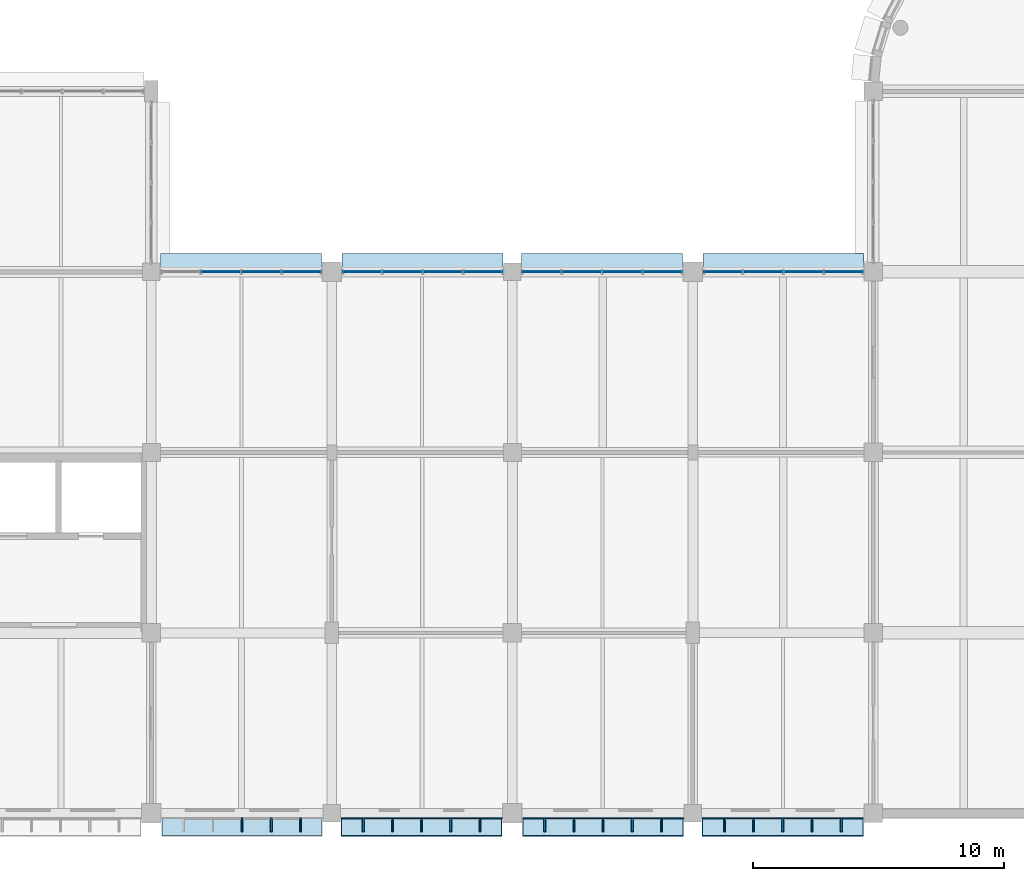
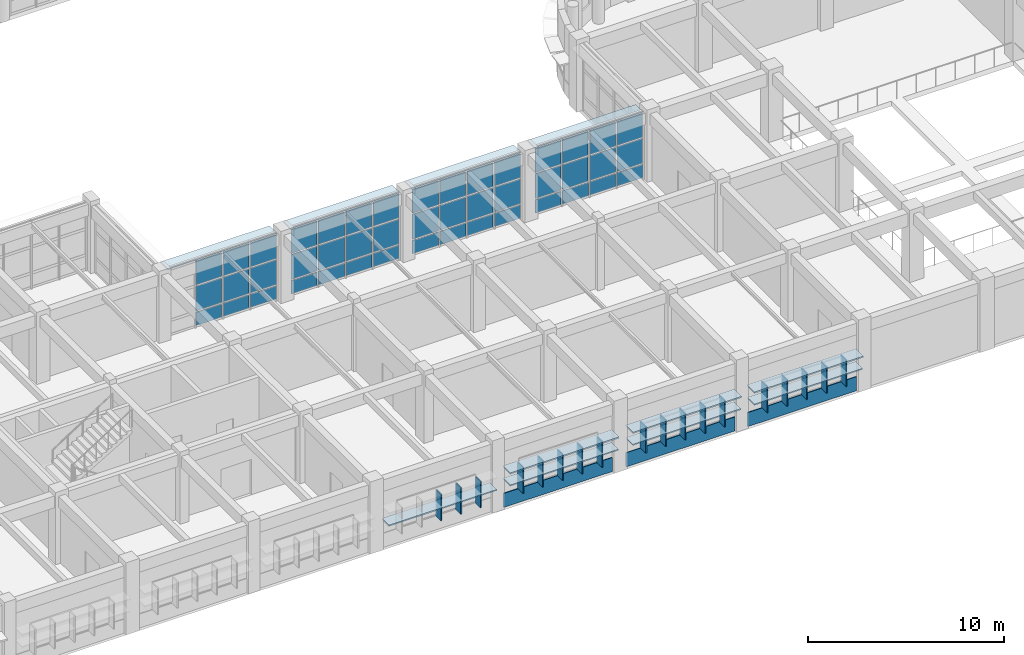
# One storey, part 119 of 171: 77 plates, 4 elements without a shape of their own.
"""IFC4 building model written with IfcOpenShell, lengths in metres."""

from ifc_helpers import new_model, si_unit, direction, frame, origin, origin_2d, place, context, subcontext, project, spatial, rectangle, extrude, material, layer, layer_set, type_object, element, aggregate, save


model = new_model("IFC4")

# Units and contexts
model_context = context("Model", 3, precision=1e-05, world=origin(), true_north=direction((0.0, 1.0)))
body_context = subcontext(model_context, "Body", "Model", "MODEL_VIEW")
ifc_project = project(units=[si_unit("LENGTHUNIT", "METRE"), si_unit("AREAUNIT", "SQUARE_METRE"), si_unit("VOLUMEUNIT", "CUBIC_METRE"), si_unit("PLANEANGLEUNIT", "RADIAN"), si_unit("MASSUNIT", "GRAM", prefix="KILO")], contexts=[model_context])

# Site, building, storey
site_placement = place(None, origin())
site = spatial("IfcSite", under=ifc_project, at=site_placement, CompositionType="ELEMENT")
building_placement = place(site_placement, origin())
building = spatial("IfcBuilding", under=site, at=building_placement, Name="Thalmaran Polytechnic", CompositionType="ELEMENT")
storey_placement = place(building_placement, frame((0.0, 0.0, 5.39990234375)))
storey = spatial("IfcBuildingStorey", under=building, at=storey_placement, Name="L01", CompositionType="ELEMENT", Elevation=5.39990234375)

# Plates
ifc_material_1 = material(Name="Anodised aluminium spandrel band", Category="aluminium")
ifc_layer_1 = layer(ifc_material_1, 0.054931640625, Name="Anodised aluminium spandrel band")
ifc_layer_set_1 = layer_set([ifc_layer_1], Name="Anodised aluminium spandrel band")
plate_type_1 = type_object("IfcPlateType", Name="PT-BD01", PredefinedType="SHEET", material=ifc_layer_set_1)
plate_1_placement = place(storey_placement, frame((53.987548828125, -0.195068359375, 0.020263671875), z_axis=(0.0, 0.0, 1.0), x_axis=(-1.0, 0.0, 0.0)))
element("IfcPlate", 1, at=plate_1_placement, inside=storey, type_object=plate_type_1, Name="Streamline Horizontal Spandrel Band L01-085", PredefinedType="SHEET", context=body_context, shape_type="SweptSolid", body=[
    extrude(rectangle(XDim=6.43505859375, YDim=0.054931640625, at=origin_2d()), origin(), (0.0, 0.0, 1.0), 0.8798828125),
])
for number, where, z_axis, x_axis, name in (
    (2, (46.820068359375, -0.195068359375, 0.020263671875), (0.0, 0.0, 1.0), (-1.0, 0.0, 0.0), "Streamline Horizontal Spandrel Band L01-086"),
    (3, (39.580078125, -0.195068359375, 0.020263671875), (0.0, 0.0, 1.0), (-1.0, 0.0, 0.0), "Streamline Horizontal Spandrel Band L01-087"),
):
    element("IfcPlate", number, at=place(storey_placement, frame(where, z_axis=z_axis, x_axis=x_axis)), inside=storey, type_object=plate_type_1, Name=name, PredefinedType="SHEET", context=body_context, shape_type="SweptSolid", body=[
        extrude(rectangle(XDim=6.419921875, YDim=0.054931640625, at=origin_2d()), origin(), (0.0, 0.0, 1.0), 0.8798828125),
    ])
ifc_material_2 = material(Name="Anodised aluminium sun-hood eyebrow", Category="aluminium")
ifc_layer_2 = layer(ifc_material_2, 0.0849609375, Name="Anodised aluminium sun-hood eyebrow")
ifc_layer_set_2 = layer_set([ifc_layer_2], Name="Anodised aluminium sun-hood eyebrow")
plate_type_2 = type_object("IfcPlateType", Name="PT-EB01", PredefinedType="SHEET", material=ifc_layer_set_2)
plate_2_placement = place(storey_placement, frame((53.987548828125, -0.5400390625, 2.517578125), z_axis=(0.0, 0.0, 1.0), x_axis=(-1.0, 0.0, 0.0)))
element("IfcPlate", 4, at=plate_2_placement, inside=storey, type_object=plate_type_2, Name="Streamline Sun-Hood Eyebrow L01-085", PredefinedType="SHEET", context=body_context, shape_type="SweptSolid", body=[
    extrude(rectangle(XDim=6.43505859375, YDim=0.760009765625, at=origin_2d()), origin(), (0.0, 0.0, 1.0), 0.0849609375),
])
plate_3_placement = place(storey_placement, frame((53.987548828125, -0.52001953125, 1.74267578125), z_axis=(0.0, 0.0, 1.0), x_axis=(-1.0, 0.0, 0.0)))
element("IfcPlate", 5, at=plate_3_placement, inside=storey, type_object=plate_type_2, Name="Abu Dhabi Horizontal Solar Louvre L01-085", PredefinedType="SHEET", context=body_context, shape_type="SweptSolid", body=[
    extrude(rectangle(XDim=6.39501953125, YDim=0.719970703125, at=origin_2d()), origin(), (0.0, 0.0, 1.0), 0.074951171875),
])
plate_4_placement = place(storey_placement, frame((46.820068359375, -0.5400390625, 2.517578125), z_axis=(0.0, 0.0, 1.0), x_axis=(-1.0, 0.0, 0.0)))
element("IfcPlate", 6, at=plate_4_placement, inside=storey, type_object=plate_type_2, Name="Streamline Sun-Hood Eyebrow L01-086", PredefinedType="SHEET", context=body_context, shape_type="SweptSolid", body=[
    extrude(rectangle(XDim=6.419921875, YDim=0.760009765625, at=origin_2d()), origin(), (0.0, 0.0, 1.0), 0.0849609375),
])
plate_5_placement = place(storey_placement, frame((46.820068359375, -0.52001953125, 1.74267578125), z_axis=(0.0, 0.0, 1.0), x_axis=(-1.0, 0.0, 0.0)))
element("IfcPlate", 7, at=plate_5_placement, inside=storey, type_object=plate_type_2, Name="Abu Dhabi Horizontal Solar Louvre L01-086", PredefinedType="SHEET", context=body_context, shape_type="SweptSolid", body=[
    extrude(rectangle(XDim=6.3798828125, YDim=0.719970703125, at=origin_2d()), origin(), (0.0, 0.0, 1.0), 0.074951171875),
])
plate_6_placement = place(storey_placement, frame((39.580078125, -0.5400390625, 2.517578125), z_axis=(0.0, 0.0, 1.0), x_axis=(-1.0, 0.0, 0.0)))
element("IfcPlate", 8, at=plate_6_placement, inside=storey, type_object=plate_type_2, Name="Streamline Sun-Hood Eyebrow L01-087", PredefinedType="SHEET", context=body_context, shape_type="SweptSolid", body=[
    extrude(rectangle(XDim=6.419921875, YDim=0.760009765625, at=origin_2d()), origin(), (0.0, 0.0, 1.0), 0.0849609375),
])
for number, where, z_axis, x_axis, name in (
    (9, (39.580078125, -0.52001953125, 1.74267578125), (0.0, 0.0, 1.0), (-1.0, 0.0, 0.0), "Abu Dhabi Horizontal Solar Louvre L01-087"),
    (10, (32.419921875, -0.52001953125, 1.74267578125), (0.0, 0.0, 1.0), (-1.0, 0.0, 0.0), "Abu Dhabi Horizontal Solar Louvre L01-088"),
):
    element("IfcPlate", number, at=place(storey_placement, frame(where, z_axis=z_axis, x_axis=x_axis)), inside=storey, type_object=plate_type_2, Name=name, PredefinedType="SHEET", context=body_context, shape_type="SweptSolid", body=[
        extrude(rectangle(XDim=6.3798828125, YDim=0.719970703125, at=origin_2d()), origin(), (0.0, 0.0, 1.0), 0.074951171875),
    ])
for number, where, z_axis, x_axis, name in (
    (11, (32.3798828125, 21.9599609375, 4.107666015625), (0.0, 0.0, 1.0), (1.0, 0.0, 0.0), "Streamline Sun-Hood Eyebrow L01-CW163"),
    (12, (39.6201171875, 21.9599609375, 4.107666015625), (0.0, 0.0, 1.0), (1.0, 0.0, 0.0), "Streamline Sun-Hood Eyebrow L01-CW164"),
    (13, (46.780029296875, 21.9599609375, 4.107666015625), (0.0, 0.0, 1.0), (1.0, 0.0, 0.0), "Streamline Sun-Hood Eyebrow L01-CW165"),
):
    element("IfcPlate", number, at=place(storey_placement, frame(where, z_axis=z_axis, x_axis=x_axis)), inside=storey, type_object=plate_type_2, Name=name, PredefinedType="SHEET", context=body_context, shape_type="SweptSolid", body=[
        extrude(rectangle(XDim=6.419921875, YDim=0.760009765625, at=origin_2d()), origin(), (0.0, 0.0, 1.0), 0.0849609375),
    ])
plate_7_placement = place(storey_placement, frame((54.007568359375, 21.9599609375, 4.107666015625), z_axis=(0.0, 0.0, 1.0), x_axis=(1.0, 0.0, 0.0)))
element("IfcPlate", 14, at=plate_7_placement, inside=storey, type_object=plate_type_2, Name="Streamline Sun-Hood Eyebrow L01-CW166", PredefinedType="SHEET", context=body_context, shape_type="SweptSolid", body=[
    extrude(rectangle(XDim=6.39501953125, YDim=0.760009765625, at=origin_2d()), origin(), (0.0, 0.0, 1.0), 0.0849609375),
])
ifc_material_3 = material(Name="Anodised bronze brise-soleil fin")
ifc_layer_3 = layer(ifc_material_3, 0.06494140625, Name="Anodised bronze brise-soleil fin")
ifc_layer_set_3 = layer_set([ifc_layer_3], Name="Anodised bronze brise-soleil fin")
plate_type_3 = type_object("IfcPlateType", Name="PT-FN01", PredefinedType="SHEET", material=ifc_layer_set_3)
for number, where, z_axis, x_axis, name in (
    (15, (56.318603515625, -0.4599609375, 0.895263671875), (0.0, 0.0, 1.0), (-1.0, 0.0, 0.0), "Abu Dhabi Solar Brise-Soleil Fin L01-085-1"),
    (16, (55.153076171875, -0.4599609375, 0.895263671875), (0.0, 0.0, 1.0), (-1.0, 0.0, 0.0), "Abu Dhabi Solar Brise-Soleil Fin L01-085-2"),
    (17, (53.987548828125, -0.4599609375, 0.895263671875), (0.0, 0.0, 1.0), (-1.0, 0.0, 0.0), "Abu Dhabi Solar Brise-Soleil Fin L01-085-3"),
    (18, (52.822021484375, -0.4599609375, 0.895263671875), (0.0, 0.0, 1.0), (-1.0, 0.0, 0.0), "Abu Dhabi Solar Brise-Soleil Fin L01-085-4"),
    (19, (51.656494140625, -0.4599609375, 0.895263671875), (0.0, 0.0, 1.0), (-1.0, 0.0, 0.0), "Abu Dhabi Solar Brise-Soleil Fin L01-085-5"),
    (20, (49.1455078125, -0.4599609375, 0.895263671875), (0.0, 0.0, 1.0), (-1.0, 0.0, 0.0), "Abu Dhabi Solar Brise-Soleil Fin L01-086-1"),
    (21, (47.98291015625, -0.4599609375, 0.895263671875), (0.0, 0.0, 1.0), (-1.0, 0.0, 0.0), "Abu Dhabi Solar Brise-Soleil Fin L01-086-2"),
    (22, (46.820068359375, -0.4599609375, 0.895263671875), (0.0, 0.0, 1.0), (-1.0, 0.0, 0.0), "Abu Dhabi Solar Brise-Soleil Fin L01-086-3"),
    (23, (45.6572265625, -0.4599609375, 0.895263671875), (0.0, 0.0, 1.0), (-1.0, 0.0, 0.0), "Abu Dhabi Solar Brise-Soleil Fin L01-086-4"),
    (24, (44.494384765625, -0.4599609375, 0.895263671875), (0.0, 0.0, 1.0), (-1.0, 0.0, 0.0), "Abu Dhabi Solar Brise-Soleil Fin L01-086-5"),
    (25, (41.905517578125, -0.4599609375, 0.895263671875), (0.0, 0.0, 1.0), (-1.0, 0.0, 0.0), "Abu Dhabi Solar Brise-Soleil Fin L01-087-1"),
    (26, (40.742919921875, -0.4599609375, 0.895263671875), (0.0, 0.0, 1.0), (-1.0, 0.0, 0.0), "Abu Dhabi Solar Brise-Soleil Fin L01-087-2"),
    (27, (39.580078125, -0.4599609375, 0.895263671875), (0.0, 0.0, 1.0), (-1.0, 0.0, 0.0), "Abu Dhabi Solar Brise-Soleil Fin L01-087-3"),
    (28, (38.417236328125, -0.4599609375, 0.895263671875), (0.0, 0.0, 1.0), (-1.0, 0.0, 0.0), "Abu Dhabi Solar Brise-Soleil Fin L01-087-4"),
    (29, (37.25439453125, -0.4599609375, 0.895263671875), (0.0, 0.0, 1.0), (-1.0, 0.0, 0.0), "Abu Dhabi Solar Brise-Soleil Fin L01-087-5"),
    (30, (34.74560546875, -0.4599609375, 0.895263671875), (0.0, 0.0, 1.0), (-1.0, 0.0, 0.0), "Abu Dhabi Solar Brise-Soleil Fin L01-088-1"),
    (31, (33.582763671875, -0.4599609375, 0.895263671875), (0.0, 0.0, 1.0), (-1.0, 0.0, 0.0), "Abu Dhabi Solar Brise-Soleil Fin L01-088-2"),
    (32, (32.419921875, -0.4599609375, 0.895263671875), (0.0, 0.0, 1.0), (-1.0, 0.0, 0.0), "Abu Dhabi Solar Brise-Soleil Fin L01-088-3"),
):
    element("IfcPlate", number, at=place(storey_placement, frame(where, z_axis=z_axis, x_axis=x_axis)), inside=storey, type_object=plate_type_3, Name=name, PredefinedType="SHEET", context=body_context, shape_type="SweptSolid", body=[
        extrude(rectangle(XDim=0.06494140625, YDim=0.56005859375, at=origin_2d()), origin(), (0.0, 0.0, 1.0), 1.64990234375),
    ])

# Curtain wall, plates
ifc_material_4 = material(Name="Aluminium 6063-T6", Category="aluminium")
curtain_wall_type = type_object("IfcCurtainWallType", Name="CW-UC02", PredefinedType="USERDEFINED", material=ifc_material_4)
curtain_wall_1_placement = place(storey_placement, origin())
curtain_wall_1 = element("IfcCurtainWall", 33, at=curtain_wall_1_placement, inside=storey, type_object=curtain_wall_type, Name="Curtain Wall CW-L01-165", ObjectType="UNITISED CURTAIN WALL", PredefinedType="USERDEFINED")
ifc_material_5 = material(Name="Solar-control double low-E glass", Category="glass")
ifc_layer_4 = layer(ifc_material_5, 0.035888671875, Name="Solar-control double low-E glass")
ifc_layer_set_4 = layer_set([ifc_layer_4], Name="Solar-control double low-E glass")
plate_type_4 = type_object("IfcPlateType", Name="PT-GL01", PredefinedType="CURTAIN_PANEL", material=ifc_layer_set_4)
plate_8_placement = place(storey_placement, frame((44.357421875, 21.60009765625, 1.000244140625), z_axis=(0.0, 0.0, 1.0), x_axis=(1.0, 0.0, 0.0)))
plate_8 = element("IfcPlate", 34, at=plate_8_placement, type_object=plate_type_4, Name="CW-L01-165 Vision Panel 1-2", PredefinedType="CURTAIN_PANEL", context=body_context, shape_type="SweptSolid", body=[
    extrude(rectangle(XDim=1.514892578125, YDim=0.035888671875, at=origin_2d()), origin(), (0.0, 0.0, 1.0), 1.544921875),
])
plate_9_placement = place(storey_placement, frame((44.357421875, 21.60009765625, 2.625), z_axis=(0.0, 0.0, 1.0), x_axis=(1.0, 0.0, 0.0)))
plate_9 = element("IfcPlate", 35, at=plate_9_placement, type_object=plate_type_4, Name="CW-L01-165 Vision Panel 1-3", PredefinedType="CURTAIN_PANEL", context=body_context, shape_type="SweptSolid", body=[
    extrude(rectangle(XDim=1.514892578125, YDim=0.035888671875, at=origin_2d()), origin(), (0.0, 0.0, 1.0), 1.485107421875),
])
plate_10_placement = place(storey_placement, frame((45.972412109375, 21.60009765625, 1.000244140625), z_axis=(0.0, 0.0, 1.0), x_axis=(1.0, 0.0, 0.0)))
plate_10 = element("IfcPlate", 36, at=plate_10_placement, type_object=plate_type_4, Name="CW-L01-165 Vision Panel 2-2", PredefinedType="CURTAIN_PANEL", context=body_context, shape_type="SweptSolid", body=[
    extrude(rectangle(XDim=1.514892578125, YDim=0.035888671875, at=origin_2d()), origin(), (0.0, 0.0, 1.0), 1.544921875),
])
plate_11_placement = place(storey_placement, frame((45.972412109375, 21.60009765625, 2.625), z_axis=(0.0, 0.0, 1.0), x_axis=(1.0, 0.0, 0.0)))
plate_11 = element("IfcPlate", 37, at=plate_11_placement, type_object=plate_type_4, Name="CW-L01-165 Vision Panel 2-3", PredefinedType="CURTAIN_PANEL", context=body_context, shape_type="SweptSolid", body=[
    extrude(rectangle(XDim=1.514892578125, YDim=0.035888671875, at=origin_2d()), origin(), (0.0, 0.0, 1.0), 1.485107421875),
])
plate_12_placement = place(storey_placement, frame((47.58740234375, 21.60009765625, 1.000244140625), z_axis=(0.0, 0.0, 1.0), x_axis=(1.0, 0.0, 0.0)))
plate_12 = element("IfcPlate", 38, at=plate_12_placement, type_object=plate_type_4, Name="CW-L01-165 Vision Panel 3-2", PredefinedType="CURTAIN_PANEL", context=body_context, shape_type="SweptSolid", body=[
    extrude(rectangle(XDim=1.514892578125, YDim=0.035888671875, at=origin_2d()), origin(), (0.0, 0.0, 1.0), 1.544921875),
])
plate_13_placement = place(storey_placement, frame((47.58740234375, 21.60009765625, 2.625), z_axis=(0.0, 0.0, 1.0), x_axis=(1.0, 0.0, 0.0)))
plate_13 = element("IfcPlate", 39, at=plate_13_placement, type_object=plate_type_4, Name="CW-L01-165 Vision Panel 3-3", PredefinedType="CURTAIN_PANEL", context=body_context, shape_type="SweptSolid", body=[
    extrude(rectangle(XDim=1.514892578125, YDim=0.035888671875, at=origin_2d()), origin(), (0.0, 0.0, 1.0), 1.485107421875),
])
plate_14_placement = place(storey_placement, frame((49.202392578125, 21.60009765625, 1.000244140625), z_axis=(0.0, 0.0, 1.0), x_axis=(1.0, 0.0, 0.0)))
plate_14 = element("IfcPlate", 40, at=plate_14_placement, type_object=plate_type_4, Name="CW-L01-165 Vision Panel 4-2", PredefinedType="CURTAIN_PANEL", context=body_context, shape_type="SweptSolid", body=[
    extrude(rectangle(XDim=1.514892578125, YDim=0.035888671875, at=origin_2d()), origin(), (0.0, 0.0, 1.0), 1.544921875),
])
plate_15_placement = place(storey_placement, frame((49.202392578125, 21.60009765625, 2.625), z_axis=(0.0, 0.0, 1.0), x_axis=(1.0, 0.0, 0.0)))
plate_15 = element("IfcPlate", 41, at=plate_15_placement, type_object=plate_type_4, Name="CW-L01-165 Vision Panel 4-3", PredefinedType="CURTAIN_PANEL", context=body_context, shape_type="SweptSolid", body=[
    extrude(rectangle(XDim=1.514892578125, YDim=0.035888671875, at=origin_2d()), origin(), (0.0, 0.0, 1.0), 1.485107421875),
])

curtain_wall_2_placement = place(storey_placement, origin())
curtain_wall_2 = element("IfcCurtainWall", 42, at=curtain_wall_2_placement, inside=storey, type_object=curtain_wall_type, Name="Curtain Wall CW-L01-166", ObjectType="UNITISED CURTAIN WALL", PredefinedType="USERDEFINED")
ifc_layer_5 = layer(ifc_material_5, 0.035888671875, Name="Solar-control double low-E glass")
ifc_layer_set_5 = layer_set([ifc_layer_5], Name="Solar-control double low-E glass")
plate_type_5 = type_object("IfcPlateType", Name="PT-GL02", PredefinedType="CURTAIN_PANEL", material=ifc_layer_set_5)
plate_16_placement = place(storey_placement, frame((51.594482421875, 21.60009765625, 1.000244140625), z_axis=(0.0, 0.0, 1.0), x_axis=(1.0, 0.0, 0.0)))
plate_16 = element("IfcPlate", 43, at=plate_16_placement, type_object=plate_type_5, Name="CW-L01-166 Vision Panel 1-2", PredefinedType="CURTAIN_PANEL", context=body_context, shape_type="SweptSolid", body=[
    extrude(rectangle(XDim=1.5087890625, YDim=0.035888671875, at=origin_2d()), origin(), (0.0, 0.0, 1.0), 1.544921875),
])
plate_17_placement = place(storey_placement, frame((51.594482421875, 21.60009765625, 2.625), z_axis=(0.0, 0.0, 1.0), x_axis=(1.0, 0.0, 0.0)))
plate_17 = element("IfcPlate", 44, at=plate_17_placement, type_object=plate_type_5, Name="CW-L01-166 Vision Panel 1-3", PredefinedType="CURTAIN_PANEL", context=body_context, shape_type="SweptSolid", body=[
    extrude(rectangle(XDim=1.5087890625, YDim=0.035888671875, at=origin_2d()), origin(), (0.0, 0.0, 1.0), 1.485107421875),
])
plate_18_placement = place(storey_placement, frame((53.203125, 21.60009765625, 1.000244140625), z_axis=(0.0, 0.0, 1.0), x_axis=(1.0, 0.0, 0.0)))
plate_18 = element("IfcPlate", 45, at=plate_18_placement, type_object=plate_type_5, Name="CW-L01-166 Vision Panel 2-2", PredefinedType="CURTAIN_PANEL", context=body_context, shape_type="SweptSolid", body=[
    extrude(rectangle(XDim=1.5087890625, YDim=0.035888671875, at=origin_2d()), origin(), (0.0, 0.0, 1.0), 1.544921875),
])
plate_19_placement = place(storey_placement, frame((53.203125, 21.60009765625, 2.625), z_axis=(0.0, 0.0, 1.0), x_axis=(1.0, 0.0, 0.0)))
plate_19 = element("IfcPlate", 46, at=plate_19_placement, type_object=plate_type_5, Name="CW-L01-166 Vision Panel 2-3", PredefinedType="CURTAIN_PANEL", context=body_context, shape_type="SweptSolid", body=[
    extrude(rectangle(XDim=1.5087890625, YDim=0.035888671875, at=origin_2d()), origin(), (0.0, 0.0, 1.0), 1.485107421875),
])
plate_20_placement = place(storey_placement, frame((54.811767578125, 21.60009765625, 1.000244140625), z_axis=(0.0, 0.0, 1.0), x_axis=(1.0, 0.0, 0.0)))
plate_20 = element("IfcPlate", 47, at=plate_20_placement, type_object=plate_type_5, Name="CW-L01-166 Vision Panel 3-2", PredefinedType="CURTAIN_PANEL", context=body_context, shape_type="SweptSolid", body=[
    extrude(rectangle(XDim=1.5087890625, YDim=0.035888671875, at=origin_2d()), origin(), (0.0, 0.0, 1.0), 1.544921875),
])
plate_21_placement = place(storey_placement, frame((54.811767578125, 21.60009765625, 2.625), z_axis=(0.0, 0.0, 1.0), x_axis=(1.0, 0.0, 0.0)))
plate_21 = element("IfcPlate", 48, at=plate_21_placement, type_object=plate_type_5, Name="CW-L01-166 Vision Panel 3-3", PredefinedType="CURTAIN_PANEL", context=body_context, shape_type="SweptSolid", body=[
    extrude(rectangle(XDim=1.5087890625, YDim=0.035888671875, at=origin_2d()), origin(), (0.0, 0.0, 1.0), 1.485107421875),
])
plate_22_placement = place(storey_placement, frame((56.420654296875, 21.60009765625, 1.000244140625), z_axis=(0.0, 0.0, 1.0), x_axis=(1.0, 0.0, 0.0)))
plate_22 = element("IfcPlate", 49, at=plate_22_placement, type_object=plate_type_5, Name="CW-L01-166 Vision Panel 4-2", PredefinedType="CURTAIN_PANEL", context=body_context, shape_type="SweptSolid", body=[
    extrude(rectangle(XDim=1.5087890625, YDim=0.035888671875, at=origin_2d()), origin(), (0.0, 0.0, 1.0), 1.544921875),
])
plate_23_placement = place(storey_placement, frame((56.420654296875, 21.60009765625, 2.625), z_axis=(0.0, 0.0, 1.0), x_axis=(1.0, 0.0, 0.0)))
plate_23 = element("IfcPlate", 50, at=plate_23_placement, type_object=plate_type_5, Name="CW-L01-166 Vision Panel 4-3", PredefinedType="CURTAIN_PANEL", context=body_context, shape_type="SweptSolid", body=[
    extrude(rectangle(XDim=1.5087890625, YDim=0.035888671875, at=origin_2d()), origin(), (0.0, 0.0, 1.0), 1.485107421875),
])

curtain_wall_3_placement = place(storey_placement, origin())
curtain_wall_3 = element("IfcCurtainWall", 51, at=curtain_wall_3_placement, inside=storey, type_object=curtain_wall_type, Name="Curtain Wall CW-L01-163", ObjectType="UNITISED CURTAIN WALL", PredefinedType="USERDEFINED")
ifc_layer_6 = layer(ifc_material_5, 0.035888671875, Name="Solar-control double low-E glass")
ifc_layer_set_6 = layer_set([ifc_layer_6], Name="Solar-control double low-E glass")
plate_type_6 = type_object("IfcPlateType", Name="PT-GL04", PredefinedType="CURTAIN_PANEL", material=ifc_layer_set_6)
plate_24_placement = place(storey_placement, frame((31.572509765625, 21.60009765625, 1.000244140625), z_axis=(0.0, 0.0, 1.0), x_axis=(1.0, 0.0, 0.0)))
plate_24 = element("IfcPlate", 52, at=plate_24_placement, type_object=plate_type_6, Name="CW-L01-163 Vision Panel 2-2", PredefinedType="CURTAIN_PANEL", context=body_context, shape_type="SweptSolid", body=[
    extrude(rectangle(XDim=1.514892578125, YDim=0.035888671875, at=origin_2d()), origin(), (0.0, 0.0, 1.0), 1.544921875),
])
plate_25_placement = place(storey_placement, frame((31.572509765625, 21.60009765625, 2.625), z_axis=(0.0, 0.0, 1.0), x_axis=(1.0, 0.0, 0.0)))
plate_25 = element("IfcPlate", 53, at=plate_25_placement, type_object=plate_type_6, Name="CW-L01-163 Vision Panel 2-3", PredefinedType="CURTAIN_PANEL", context=body_context, shape_type="SweptSolid", body=[
    extrude(rectangle(XDim=1.514892578125, YDim=0.035888671875, at=origin_2d()), origin(), (0.0, 0.0, 1.0), 1.485107421875),
])
plate_26_placement = place(storey_placement, frame((33.1875, 21.60009765625, 1.000244140625), z_axis=(0.0, 0.0, 1.0), x_axis=(1.0, 0.0, 0.0)))
plate_26 = element("IfcPlate", 54, at=plate_26_placement, type_object=plate_type_6, Name="CW-L01-163 Vision Panel 3-2", PredefinedType="CURTAIN_PANEL", context=body_context, shape_type="SweptSolid", body=[
    extrude(rectangle(XDim=1.514892578125, YDim=0.035888671875, at=origin_2d()), origin(), (0.0, 0.0, 1.0), 1.544921875),
])
plate_27_placement = place(storey_placement, frame((33.1875, 21.60009765625, 2.625), z_axis=(0.0, 0.0, 1.0), x_axis=(1.0, 0.0, 0.0)))
plate_27 = element("IfcPlate", 55, at=plate_27_placement, type_object=plate_type_6, Name="CW-L01-163 Vision Panel 3-3", PredefinedType="CURTAIN_PANEL", context=body_context, shape_type="SweptSolid", body=[
    extrude(rectangle(XDim=1.514892578125, YDim=0.035888671875, at=origin_2d()), origin(), (0.0, 0.0, 1.0), 1.485107421875),
])
plate_28_placement = place(storey_placement, frame((34.802490234375, 21.60009765625, 1.000244140625), z_axis=(0.0, 0.0, 1.0), x_axis=(1.0, 0.0, 0.0)))
plate_28 = element("IfcPlate", 56, at=plate_28_placement, type_object=plate_type_6, Name="CW-L01-163 Vision Panel 4-2", PredefinedType="CURTAIN_PANEL", context=body_context, shape_type="SweptSolid", body=[
    extrude(rectangle(XDim=1.514892578125, YDim=0.035888671875, at=origin_2d()), origin(), (0.0, 0.0, 1.0), 1.544921875),
])
plate_29_placement = place(storey_placement, frame((34.802490234375, 21.60009765625, 2.625), z_axis=(0.0, 0.0, 1.0), x_axis=(1.0, 0.0, 0.0)))
plate_29 = element("IfcPlate", 57, at=plate_29_placement, type_object=plate_type_6, Name="CW-L01-163 Vision Panel 4-3", PredefinedType="CURTAIN_PANEL", context=body_context, shape_type="SweptSolid", body=[
    extrude(rectangle(XDim=1.514892578125, YDim=0.035888671875, at=origin_2d()), origin(), (0.0, 0.0, 1.0), 1.485107421875),
])

curtain_wall_4_placement = place(storey_placement, origin())
curtain_wall_4 = element("IfcCurtainWall", 58, at=curtain_wall_4_placement, inside=storey, type_object=curtain_wall_type, Name="Curtain Wall CW-L01-164", ObjectType="UNITISED CURTAIN WALL", PredefinedType="USERDEFINED")
ifc_layer_7 = layer(ifc_material_5, 0.035888671875, Name="Solar-control double low-E glass")
ifc_layer_set_7 = layer_set([ifc_layer_7], Name="Solar-control double low-E glass")
plate_type_7 = type_object("IfcPlateType", Name="PT-GL05", PredefinedType="CURTAIN_PANEL", material=ifc_layer_set_7)
plate_30_placement = place(storey_placement, frame((37.197509765625, 21.60009765625, 1.000244140625), z_axis=(0.0, 0.0, 1.0), x_axis=(1.0, 0.0, 0.0)))
plate_30 = element("IfcPlate", 59, at=plate_30_placement, type_object=plate_type_7, Name="CW-L01-164 Vision Panel 1-2", PredefinedType="CURTAIN_PANEL", context=body_context, shape_type="SweptSolid", body=[
    extrude(rectangle(XDim=1.514892578125, YDim=0.035888671875, at=origin_2d()), origin(), (0.0, 0.0, 1.0), 1.544921875),
])
plate_31_placement = place(storey_placement, frame((37.197509765625, 21.60009765625, 2.625), z_axis=(0.0, 0.0, 1.0), x_axis=(1.0, 0.0, 0.0)))
plate_31 = element("IfcPlate", 60, at=plate_31_placement, type_object=plate_type_7, Name="CW-L01-164 Vision Panel 1-3", PredefinedType="CURTAIN_PANEL", context=body_context, shape_type="SweptSolid", body=[
    extrude(rectangle(XDim=1.514892578125, YDim=0.035888671875, at=origin_2d()), origin(), (0.0, 0.0, 1.0), 1.485107421875),
])
plate_32_placement = place(storey_placement, frame((38.8125, 21.60009765625, 1.000244140625), z_axis=(0.0, 0.0, 1.0), x_axis=(1.0, 0.0, 0.0)))
plate_32 = element("IfcPlate", 61, at=plate_32_placement, type_object=plate_type_7, Name="CW-L01-164 Vision Panel 2-2", PredefinedType="CURTAIN_PANEL", context=body_context, shape_type="SweptSolid", body=[
    extrude(rectangle(XDim=1.514892578125, YDim=0.035888671875, at=origin_2d()), origin(), (0.0, 0.0, 1.0), 1.544921875),
])
plate_33_placement = place(storey_placement, frame((38.8125, 21.60009765625, 2.625), z_axis=(0.0, 0.0, 1.0), x_axis=(1.0, 0.0, 0.0)))
plate_33 = element("IfcPlate", 62, at=plate_33_placement, type_object=plate_type_7, Name="CW-L01-164 Vision Panel 2-3", PredefinedType="CURTAIN_PANEL", context=body_context, shape_type="SweptSolid", body=[
    extrude(rectangle(XDim=1.514892578125, YDim=0.035888671875, at=origin_2d()), origin(), (0.0, 0.0, 1.0), 1.485107421875),
])
plate_34_placement = place(storey_placement, frame((40.427490234375, 21.60009765625, 1.000244140625), z_axis=(0.0, 0.0, 1.0), x_axis=(1.0, 0.0, 0.0)))
plate_34 = element("IfcPlate", 63, at=plate_34_placement, type_object=plate_type_7, Name="CW-L01-164 Vision Panel 3-2", PredefinedType="CURTAIN_PANEL", context=body_context, shape_type="SweptSolid", body=[
    extrude(rectangle(XDim=1.514892578125, YDim=0.035888671875, at=origin_2d()), origin(), (0.0, 0.0, 1.0), 1.544921875),
])
plate_35_placement = place(storey_placement, frame((40.427490234375, 21.60009765625, 2.625), z_axis=(0.0, 0.0, 1.0), x_axis=(1.0, 0.0, 0.0)))
plate_35 = element("IfcPlate", 64, at=plate_35_placement, type_object=plate_type_7, Name="CW-L01-164 Vision Panel 3-3", PredefinedType="CURTAIN_PANEL", context=body_context, shape_type="SweptSolid", body=[
    extrude(rectangle(XDim=1.514892578125, YDim=0.035888671875, at=origin_2d()), origin(), (0.0, 0.0, 1.0), 1.485107421875),
])
plate_36_placement = place(storey_placement, frame((42.04248046875, 21.60009765625, 1.000244140625), z_axis=(0.0, 0.0, 1.0), x_axis=(1.0, 0.0, 0.0)))
plate_36 = element("IfcPlate", 65, at=plate_36_placement, type_object=plate_type_7, Name="CW-L01-164 Vision Panel 4-2", PredefinedType="CURTAIN_PANEL", context=body_context, shape_type="SweptSolid", body=[
    extrude(rectangle(XDim=1.514892578125, YDim=0.035888671875, at=origin_2d()), origin(), (0.0, 0.0, 1.0), 1.544921875),
])
plate_37_placement = place(storey_placement, frame((42.04248046875, 21.60009765625, 2.625), z_axis=(0.0, 0.0, 1.0), x_axis=(1.0, 0.0, 0.0)))
plate_37 = element("IfcPlate", 66, at=plate_37_placement, type_object=plate_type_7, Name="CW-L01-164 Vision Panel 4-3", PredefinedType="CURTAIN_PANEL", context=body_context, shape_type="SweptSolid", body=[
    extrude(rectangle(XDim=1.514892578125, YDim=0.035888671875, at=origin_2d()), origin(), (0.0, 0.0, 1.0), 1.485107421875),
])

# Plate
ifc_material_6 = material(Name="Insulated anodised aluminium spandrel", Category="aluminium")
ifc_layer_8 = layer(ifc_material_6, 0.06005859375, Name="Insulated anodised aluminium spandrel")
ifc_layer_set_8 = layer_set([ifc_layer_8], Name="Insulated anodised aluminium spandrel")
plate_type_8 = type_object("IfcPlateType", Name="PT-SP01", PredefinedType="CURTAIN_PANEL", material=ifc_layer_set_8)
plate_38_placement = place(storey_placement, frame((44.357421875, 21.60009765625, 0.10009765625), z_axis=(0.0, 0.0, 1.0), x_axis=(1.0, 0.0, 0.0)))
plate_38 = element("IfcPlate", 67, at=plate_38_placement, type_object=plate_type_8, Name="CW-L01-165 Spandrel Panel 1-1", PredefinedType="CURTAIN_PANEL", context=body_context, shape_type="SweptSolid", body=[
    extrude(rectangle(XDim=1.514892578125, YDim=0.06005859375, at=origin_2d()), origin(), (0.0, 0.0, 1.0), 0.820068359375),
])

plate_39_placement = place(storey_placement, frame((45.972412109375, 21.60009765625, 0.10009765625), z_axis=(0.0, 0.0, 1.0), x_axis=(1.0, 0.0, 0.0)))
plate_39 = element("IfcPlate", 68, at=plate_39_placement, type_object=plate_type_8, Name="CW-L01-165 Spandrel Panel 2-1", PredefinedType="CURTAIN_PANEL", context=body_context, shape_type="SweptSolid", body=[
    extrude(rectangle(XDim=1.514892578125, YDim=0.06005859375, at=origin_2d()), origin(), (0.0, 0.0, 1.0), 0.820068359375),
])

plate_40_placement = place(storey_placement, frame((47.58740234375, 21.60009765625, 0.10009765625), z_axis=(0.0, 0.0, 1.0), x_axis=(1.0, 0.0, 0.0)))
plate_40 = element("IfcPlate", 69, at=plate_40_placement, type_object=plate_type_8, Name="CW-L01-165 Spandrel Panel 3-1", PredefinedType="CURTAIN_PANEL", context=body_context, shape_type="SweptSolid", body=[
    extrude(rectangle(XDim=1.514892578125, YDim=0.06005859375, at=origin_2d()), origin(), (0.0, 0.0, 1.0), 0.820068359375),
])

plate_41_placement = place(storey_placement, frame((49.202392578125, 21.60009765625, 0.10009765625), z_axis=(0.0, 0.0, 1.0), x_axis=(1.0, 0.0, 0.0)))
plate_41 = element("IfcPlate", 70, at=plate_41_placement, type_object=plate_type_8, Name="CW-L01-165 Spandrel Panel 4-1", PredefinedType="CURTAIN_PANEL", context=body_context, shape_type="SweptSolid", body=[
    extrude(rectangle(XDim=1.514892578125, YDim=0.06005859375, at=origin_2d()), origin(), (0.0, 0.0, 1.0), 0.820068359375),
])

aggregate(curtain_wall_1, [plate_38, plate_8, plate_9, plate_39, plate_10, plate_11, plate_40, plate_12, plate_13, plate_41, plate_14, plate_15])

ifc_layer_9 = layer(ifc_material_6, 0.06005859375, Name="Insulated anodised aluminium spandrel")
ifc_layer_set_9 = layer_set([ifc_layer_9], Name="Insulated anodised aluminium spandrel")
plate_type_9 = type_object("IfcPlateType", Name="PT-SP02", PredefinedType="CURTAIN_PANEL", material=ifc_layer_set_9)
plate_42_placement = place(storey_placement, frame((31.572509765625, 21.60009765625, 0.10009765625), z_axis=(0.0, 0.0, 1.0), x_axis=(1.0, 0.0, 0.0)))
plate_42 = element("IfcPlate", 71, at=plate_42_placement, type_object=plate_type_9, Name="CW-L01-163 Spandrel Panel 2-1", PredefinedType="CURTAIN_PANEL", context=body_context, shape_type="SweptSolid", body=[
    extrude(rectangle(XDim=1.514892578125, YDim=0.06005859375, at=origin_2d()), origin(), (0.0, 0.0, 1.0), 0.820068359375),
])

plate_43_placement = place(storey_placement, frame((33.1875, 21.60009765625, 0.10009765625), z_axis=(0.0, 0.0, 1.0), x_axis=(1.0, 0.0, 0.0)))
plate_43 = element("IfcPlate", 72, at=plate_43_placement, type_object=plate_type_9, Name="CW-L01-163 Spandrel Panel 3-1", PredefinedType="CURTAIN_PANEL", context=body_context, shape_type="SweptSolid", body=[
    extrude(rectangle(XDim=1.514892578125, YDim=0.06005859375, at=origin_2d()), origin(), (0.0, 0.0, 1.0), 0.820068359375),
])

plate_44_placement = place(storey_placement, frame((34.802490234375, 21.60009765625, 0.10009765625), z_axis=(0.0, 0.0, 1.0), x_axis=(1.0, 0.0, 0.0)))
plate_44 = element("IfcPlate", 73, at=plate_44_placement, type_object=plate_type_9, Name="CW-L01-163 Spandrel Panel 4-1", PredefinedType="CURTAIN_PANEL", context=body_context, shape_type="SweptSolid", body=[
    extrude(rectangle(XDim=1.514892578125, YDim=0.06005859375, at=origin_2d()), origin(), (0.0, 0.0, 1.0), 0.820068359375),
])

aggregate(curtain_wall_3, [plate_42, plate_24, plate_25, plate_43, plate_26, plate_27, plate_44, plate_28, plate_29])

plate_45_placement = place(storey_placement, frame((51.594482421875, 21.60009765625, 0.10009765625), z_axis=(0.0, 0.0, 1.0), x_axis=(1.0, 0.0, 0.0)))
plate_45 = element("IfcPlate", 74, at=plate_45_placement, type_object=plate_type_9, Name="CW-L01-166 Spandrel Panel 1-1", PredefinedType="CURTAIN_PANEL", context=body_context, shape_type="SweptSolid", body=[
    extrude(rectangle(XDim=1.5087890625, YDim=0.06005859375, at=origin_2d()), origin(), (0.0, 0.0, 1.0), 0.820068359375),
])

plate_46_placement = place(storey_placement, frame((53.203125, 21.60009765625, 0.10009765625), z_axis=(0.0, 0.0, 1.0), x_axis=(1.0, 0.0, 0.0)))
plate_46 = element("IfcPlate", 75, at=plate_46_placement, type_object=plate_type_9, Name="CW-L01-166 Spandrel Panel 2-1", PredefinedType="CURTAIN_PANEL", context=body_context, shape_type="SweptSolid", body=[
    extrude(rectangle(XDim=1.5087890625, YDim=0.06005859375, at=origin_2d()), origin(), (0.0, 0.0, 1.0), 0.820068359375),
])

plate_47_placement = place(storey_placement, frame((54.811767578125, 21.60009765625, 0.10009765625), z_axis=(0.0, 0.0, 1.0), x_axis=(1.0, 0.0, 0.0)))
plate_47 = element("IfcPlate", 76, at=plate_47_placement, type_object=plate_type_9, Name="CW-L01-166 Spandrel Panel 3-1", PredefinedType="CURTAIN_PANEL", context=body_context, shape_type="SweptSolid", body=[
    extrude(rectangle(XDim=1.5087890625, YDim=0.06005859375, at=origin_2d()), origin(), (0.0, 0.0, 1.0), 0.820068359375),
])

plate_48_placement = place(storey_placement, frame((56.420654296875, 21.60009765625, 0.10009765625), z_axis=(0.0, 0.0, 1.0), x_axis=(1.0, 0.0, 0.0)))
plate_48 = element("IfcPlate", 77, at=plate_48_placement, type_object=plate_type_9, Name="CW-L01-166 Spandrel Panel 4-1", PredefinedType="CURTAIN_PANEL", context=body_context, shape_type="SweptSolid", body=[
    extrude(rectangle(XDim=1.5087890625, YDim=0.06005859375, at=origin_2d()), origin(), (0.0, 0.0, 1.0), 0.820068359375),
])

aggregate(curtain_wall_2, [plate_45, plate_16, plate_17, plate_46, plate_18, plate_19, plate_47, plate_20, plate_21, plate_48, plate_22, plate_23])

ifc_layer_10 = layer(ifc_material_6, 0.06005859375, Name="Insulated anodised aluminium spandrel")
ifc_layer_set_10 = layer_set([ifc_layer_10], Name="Insulated anodised aluminium spandrel")
plate_type_10 = type_object("IfcPlateType", Name="PT-SP03", PredefinedType="CURTAIN_PANEL", material=ifc_layer_set_10)
plate_49_placement = place(storey_placement, frame((37.197509765625, 21.60009765625, 0.10009765625), z_axis=(0.0, 0.0, 1.0), x_axis=(1.0, 0.0, 0.0)))
plate_49 = element("IfcPlate", 78, at=plate_49_placement, type_object=plate_type_10, Name="CW-L01-164 Spandrel Panel 1-1", PredefinedType="CURTAIN_PANEL", context=body_context, shape_type="SweptSolid", body=[
    extrude(rectangle(XDim=1.514892578125, YDim=0.06005859375, at=origin_2d()), origin(), (0.0, 0.0, 1.0), 0.820068359375),
])

plate_50_placement = place(storey_placement, frame((38.8125, 21.60009765625, 0.10009765625), z_axis=(0.0, 0.0, 1.0), x_axis=(1.0, 0.0, 0.0)))
plate_50 = element("IfcPlate", 79, at=plate_50_placement, type_object=plate_type_10, Name="CW-L01-164 Spandrel Panel 2-1", PredefinedType="CURTAIN_PANEL", context=body_context, shape_type="SweptSolid", body=[
    extrude(rectangle(XDim=1.514892578125, YDim=0.06005859375, at=origin_2d()), origin(), (0.0, 0.0, 1.0), 0.820068359375),
])

plate_51_placement = place(storey_placement, frame((40.427490234375, 21.60009765625, 0.10009765625), z_axis=(0.0, 0.0, 1.0), x_axis=(1.0, 0.0, 0.0)))
plate_51 = element("IfcPlate", 80, at=plate_51_placement, type_object=plate_type_10, Name="CW-L01-164 Spandrel Panel 3-1", PredefinedType="CURTAIN_PANEL", context=body_context, shape_type="SweptSolid", body=[
    extrude(rectangle(XDim=1.514892578125, YDim=0.06005859375, at=origin_2d()), origin(), (0.0, 0.0, 1.0), 0.820068359375),
])

plate_52_placement = place(storey_placement, frame((42.04248046875, 21.60009765625, 0.10009765625), z_axis=(0.0, 0.0, 1.0), x_axis=(1.0, 0.0, 0.0)))
plate_52 = element("IfcPlate", 81, at=plate_52_placement, type_object=plate_type_10, Name="CW-L01-164 Spandrel Panel 4-1", PredefinedType="CURTAIN_PANEL", context=body_context, shape_type="SweptSolid", body=[
    extrude(rectangle(XDim=1.514892578125, YDim=0.06005859375, at=origin_2d()), origin(), (0.0, 0.0, 1.0), 0.820068359375),
])

aggregate(curtain_wall_4, [plate_49, plate_30, plate_31, plate_50, plate_32, plate_33, plate_51, plate_34, plate_35, plate_52, plate_36, plate_37])

save(model, "model.ifc")
